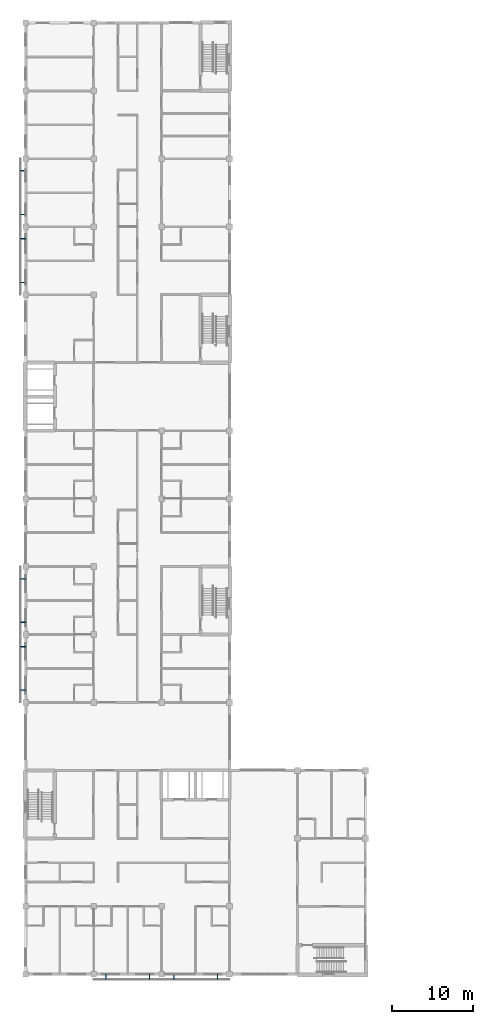
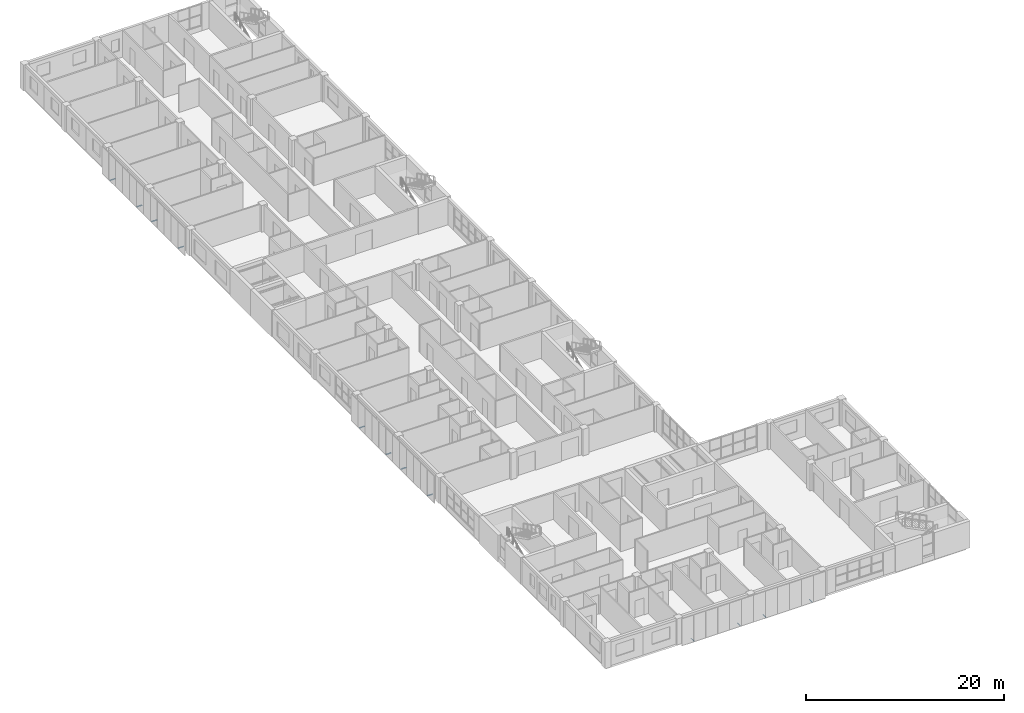
# One storey, part 42 of 48: 12 discrete accessories.
"""IFC4 building model written with IfcOpenShell, lengths in metres."""

import ifcopenshell
import ifcopenshell.guid

model = None  # the IFC model being written
_history = None  # IfcOwnerHistory: only IFC2X3 demands one
_inside = {}  # id of a spatial element -> (the spatial element, [elements in it])
_under = {}  # id of a project, library or spatial element -> (it, [spatial elements below it])
_declared = {}  # id of a project -> (the project, [libraries it declares])
_typed = {}  # id of a type object -> (the type object, [elements of that type])
_made_of = {}  # id of a material, layer set ... -> (it, [elements and type objects made of it])


def new_model(schema):
    """Start an empty IFC model of exactly this schema.

    Asked for "IFC4X3", IfcOpenShell would pick the latest addendum, in which some entities
    have other attributes; the version numbers below select the first issue.
    IFC2X3 requires an IfcOwnerHistory on every rooted entity: one is made here for all.
    """
    global model, _history
    if schema == "IFC4X3":
        model = ifcopenshell.file(schema_version=(4, 3, 0, 0))
    else:
        model = ifcopenshell.file(schema=schema)
    _inside.clear()
    _under.clear()
    _declared.clear()
    _typed.clear()
    _made_of.clear()
    _history = None
    if model.schema == "IFC2X3":
        org = make("IfcOrganization", Name="unknown")
        user = make(
            "IfcPersonAndOrganization",
            ThePerson=make("IfcPerson", FamilyName="unknown"),
            TheOrganization=org,
        )
        app = make(
            "IfcApplication",
            ApplicationDeveloper=org,
            Version="unknown",
            ApplicationFullName="unknown",
            ApplicationIdentifier="unknown",
        )
        _history = make(
            "IfcOwnerHistory",
            OwningUser=user,
            OwningApplication=app,
            ChangeAction="ADDED",
            CreationDate=0,
        )
    return model


def make(cls, **values):
    """One entity of the class cls with the attributes given. An attribute that is None is left unset."""
    return model.create_entity(
        cls, **{name: value for name, value in values.items() if value is not None}
    )


def rooted(cls, **values):
    """An entity with a GlobalId (a new one), such as an element, a storey or a relation."""
    return make(cls, GlobalId=ifcopenshell.guid.new(), OwnerHistory=_history, **values)


def si_unit(unit_type, name, prefix=None):
    """IfcSIUnit, for example si_unit("LENGTHUNIT", "METRE", prefix="MILLI")."""
    return make("IfcSIUnit", UnitType=unit_type, Prefix=prefix, Name=name)


def assignment(units):
    """IfcUnitAssignment: the units of a project."""
    return None if units is None else make("IfcUnitAssignment", Units=units)


def point(xyz):
    """IfcCartesianPoint."""
    return None if xyz is None else make("IfcCartesianPoint", Coordinates=xyz)


def direction(xyz):
    """IfcDirection."""
    return None if xyz is None else make("IfcDirection", DirectionRatios=xyz)


def frame(location, z_axis=None, x_axis=None):
    """IfcAxis2Placement3D, a coordinate frame: its origin and axes. An axis left out is left unset."""
    return make(
        "IfcAxis2Placement3D",
        Location=point(location),
        Axis=direction(z_axis),
        RefDirection=direction(x_axis),
    )


def frame_2d(location, x_axis=None):
    """IfcAxis2Placement2D, a coordinate frame in the plane: its origin and x axis."""
    return make(
        "IfcAxis2Placement2D", Location=point(location), RefDirection=direction(x_axis)
    )


def origin():
    """The frame at (0, 0, 0) with its axes left unset."""
    return frame((0.0, 0.0, 0.0))


def origin_2d():
    """The frame at (0, 0) in the plane with its x axis left unset."""
    return frame_2d((0.0, 0.0))


def place(relative_to, where):
    """IfcLocalPlacement: puts the frame where relative to a parent placement (None: the world)."""
    return make(
        "IfcLocalPlacement", PlacementRelTo=relative_to, RelativePlacement=where
    )


def context(
    kind, dimensions, precision=None, world=None, true_north=None, identifier=None
):
    """IfcGeometricRepresentationContext, for example the 3D "Model" context."""
    return make(
        "IfcGeometricRepresentationContext",
        ContextIdentifier=identifier,
        ContextType=kind,
        CoordinateSpaceDimension=dimensions,
        Precision=precision,
        WorldCoordinateSystem=world,
        TrueNorth=true_north,
    )


def subcontext(parent, identifier, kind, view, scale=None):
    """IfcGeometricRepresentationSubContext, for example "Body" below "Model"."""
    return make(
        "IfcGeometricRepresentationSubContext",
        ContextIdentifier=identifier,
        ContextType=kind,
        ParentContext=parent,
        TargetScale=scale,
        TargetView=view,
    )


def project(units=None, contexts=None):
    """IfcProject with its units and contexts."""
    return rooted(
        "IfcProject",
        Name="project",
        RepresentationContexts=contexts,
        UnitsInContext=assignment(units),
    )


def spatial(cls, under=None, at=None, **own):
    """A site, building, storey or space (cls), placed at a placement, below another one or the project."""
    s = rooted(cls, ObjectPlacement=at, **own)
    if under is not None:
        _under.setdefault(under.id(), (under, []))[1].append(s)
    return s


def profile(cls, at=None, kind="AREA", **sizes):
    """A parametric profile (cls). Its sizes go by their IFC names, for example OverallWidth=200.0."""
    return make(cls, ProfileType=kind, Position=at, **sizes)


def hollow_rectangle(**sizes):
    """IfcRectangleHollowProfileDef."""
    return profile("IfcRectangleHollowProfileDef", **sizes)


def extrude(swept, where, along, depth):
    """IfcExtrudedAreaSolid: the profile swept, set in the frame where, extruded along a direction by depth."""
    return make(
        "IfcExtrudedAreaSolid",
        SweptArea=swept,
        Position=where,
        ExtrudedDirection=direction(along),
        Depth=depth,
    )


def shape(context_of_items, identifier, shape_type, items):
    """IfcShapeRepresentation: the items that make up one representation, for example the "Body"."""
    return make(
        "IfcShapeRepresentation",
        ContextOfItems=context_of_items,
        RepresentationIdentifier=identifier,
        RepresentationType=shape_type,
        Items=items,
    )


def material(Name=None, Category=None):
    """IfcMaterial."""
    return make("IfcMaterial", Name=Name, Category=Category)


def material_profile(
    of_material, cross_section, Name=None, Category=None, Priority=None
):
    """IfcMaterialProfile: a cross section and its material."""
    return make(
        "IfcMaterialProfile",
        Name=Name,
        Material=of_material,
        Profile=cross_section,
        Priority=Priority,
        Category=Category,
    )


def profile_set(profiles, Name=None, composite=None):
    """IfcMaterialProfileSet."""
    return make(
        "IfcMaterialProfileSet",
        Name=Name,
        MaterialProfiles=profiles,
        CompositeProfile=composite,
    )


def made_of(thing, what):
    """Note that an element or type object is made of a material, layer set ...; save() writes the relation."""
    if what is not None:
        _made_of.setdefault(what.id(), (what, []))[1].append(thing)
    return thing


def type_object(cls, material=None, **own):
    """A type object (cls), such as IfcWallType, which elements share."""
    return made_of(rooted(cls, **own), material)


def element(
    cls,
    number,
    at=None,
    inside=None,
    cuts=None,
    type_object=None,
    material=None,
    context=None,
    identifier="Body",
    shape_type=None,
    held_by="IfcProductDefinitionShape",
    body=None,
    shapes=None,
    **own,
):
    """One element of the class cls, such as IfcWall. Its Tag is "e" and its number.

    at: its placement. inside: the storey or other place that contains it. cuts: it is an
    opening in that element (IfcRelVoidsElement). A single representation is given by context,
    identifier, shape_type and body (its items); several are given by shapes. held_by: the class
    of the entity that holds the representations. save() writes the other relations.
    """
    e = rooted(cls, Tag="e%d" % number, ObjectPlacement=at, **own)
    if body is not None:
        shapes = [shape(context, identifier, shape_type, body)]
    if shapes is not None:
        e.Representation = make(held_by, Representations=shapes)
    if inside is not None:
        _inside.setdefault(inside.id(), (inside, []))[1].append(e)
    if cuts is not None:
        rooted(
            "IfcRelVoidsElement", RelatingBuildingElement=cuts, RelatedOpeningElement=e
        )
    if type_object is not None:
        _typed.setdefault(type_object.id(), (type_object, []))[1].append(e)
    return made_of(e, material)


def aggregate(whole, parts):
    """IfcRelAggregates: a whole, such as a stair, and the parts it consists of."""
    return rooted("IfcRelAggregates", RelatingObject=whole, RelatedObjects=parts)


def save(model, path):
    """Write the relations noted so far, then the file.

    IfcRelAggregates (storeys below a building ...), IfcRelContainedInSpatialStructure (elements
    in a storey), IfcRelDefinesByType, IfcRelAssociatesMaterial and IfcRelDeclares: one each for
    every whole, place, type object, material and project.
    """
    for whole, parts in _under.values():
        aggregate(whole, parts)
    for where, things in _inside.values():
        rooted(
            "IfcRelContainedInSpatialStructure",
            RelatedElements=things,
            RelatingStructure=where,
        )
    for kind, things in _typed.values():
        rooted("IfcRelDefinesByType", RelatedObjects=things, RelatingType=kind)
    for what, things in _made_of.values():
        rooted("IfcRelAssociatesMaterial", RelatedObjects=things, RelatingMaterial=what)
    for by, libraries in _declared.values():
        rooted("IfcRelDeclares", RelatingContext=by, RelatedDefinitions=libraries)
    model.write(path)


model = new_model("IFC4")

# Units and contexts
model_context = context("Model", 3, precision=1e-05, world=origin(), true_north=direction((0.0, 1.0)))
body_context = subcontext(model_context, "Body", "Model", "MODEL_VIEW")
ifc_project = project(units=[si_unit("LENGTHUNIT", "METRE"), si_unit("AREAUNIT", "SQUARE_METRE"), si_unit("VOLUMEUNIT", "CUBIC_METRE"), si_unit("PLANEANGLEUNIT", "RADIAN"), si_unit("MASSUNIT", "GRAM", prefix="KILO")], contexts=[model_context])

# Site, building, storey
site_placement = place(None, origin())
site = spatial("IfcSite", under=ifc_project, at=site_placement, CompositionType="ELEMENT")
building_placement = place(site_placement, origin())
building = spatial("IfcBuilding", under=site, at=building_placement, Name="Yavir Park General Hospital", CompositionType="ELEMENT")
storey_placement = place(building_placement, frame((0.0, 0.0, 26.10009765625)))
storey = spatial("IfcBuildingStorey", under=building, at=storey_placement, Name="L06", CompositionType="ELEMENT", Elevation=26.10009765625)

# Discrete accessories
ifc_material = material(Name="Steel S355", Category="steel")
ifc_material_profile = material_profile(ifc_material, hollow_rectangle(XDim=0.10009765625, YDim=0.06005859375, WallThickness=0.006103515625, InnerFilletRadius=0.006103515625, OuterFilletRadius=0.011962890625, at=origin_2d()), Name="RHS60x100x6")
ifc_profile_set = profile_set([ifc_material_profile], Name="Steel S355")
discrete_accessory_type = type_object("IfcDiscreteAccessoryType", Name="Screen bracket RHS 60 x 100", PredefinedType="BRACKET", material=ifc_profile_set)
for number, where, z_axis, x_axis, name in (
    (1, (9.89990234375, 0.0, -0.030029296875), (0.0, -1.0, 0.0), (1.0, 0.0, 0.0), "Screen bracket S2.4.1"),
    (2, (15.300048828125, 0.0, -0.030029296875), (0.0, -1.0, 0.0), (1.0, 0.0, 0.0), "Screen bracket S2.4.2"),
    (3, (18.300048828125, 0.0, -0.030029296875), (0.0, -1.0, 0.0), (1.0, 0.0, 0.0), "Screen bracket S3.4.1"),
    (4, (23.699951171875, 0.0, -0.030029296875), (0.0, -1.0, 0.0), (1.0, 0.0, 0.0), "Screen bracket S3.4.2"),
    (5, (0.0, 35.10009765625, -0.030029296875), (-1.0, 0.0, 0.0), (0.0, -1.0, 0.0), "Screen bracket W5.4.1"),
    (6, (0.0, 40.5, -0.030029296875), (-1.0, 0.0, 0.0), (0.0, -1.0, 0.0), "Screen bracket W5.4.2"),
    (7, (0.0, 43.5, -0.030029296875), (-1.0, 0.0, 0.0), (0.0, -1.0, 0.0), "Screen bracket W6.4.1"),
    (8, (0.0, 48.89990234375, -0.030029296875), (-1.0, 0.0, 0.0), (0.0, -1.0, 0.0), "Screen bracket W6.4.2"),
    (9, (0.0, 85.5, -0.030029296875), (-1.0, 0.0, 0.0), (0.0, -1.0, 0.0), "Screen bracket W11.4.1"),
    (10, (0.0, 90.89990234375, -0.030029296875), (-1.0, 0.0, 0.0), (0.0, -1.0, 0.0), "Screen bracket W11.4.2"),
    (11, (0.0, 93.89990234375, -0.030029296875), (-1.0, 0.0, 0.0), (0.0, -1.0, 0.0), "Screen bracket W12.4.1"),
    (12, (0.0, 99.300048828125, -0.030029296875), (-1.0, 0.0, 0.0), (0.0, -1.0, 0.0), "Screen bracket W12.4.2"),
):
    element("IfcDiscreteAccessory", number, at=place(storey_placement, frame(where, z_axis=z_axis, x_axis=x_axis)), inside=storey, type_object=discrete_accessory_type, Name=name, PredefinedType="BRACKET", context=body_context, shape_type="SweptSolid", body=[
        extrude(hollow_rectangle(XDim=0.10009765625, YDim=0.06005859375, WallThickness=0.006103515625, InnerFilletRadius=0.006103515625, OuterFilletRadius=0.011962890625, at=origin_2d()), origin(), (0.0, 0.0, 1.0), 0.60009765625),
    ])

save(model, "model.ifc")
